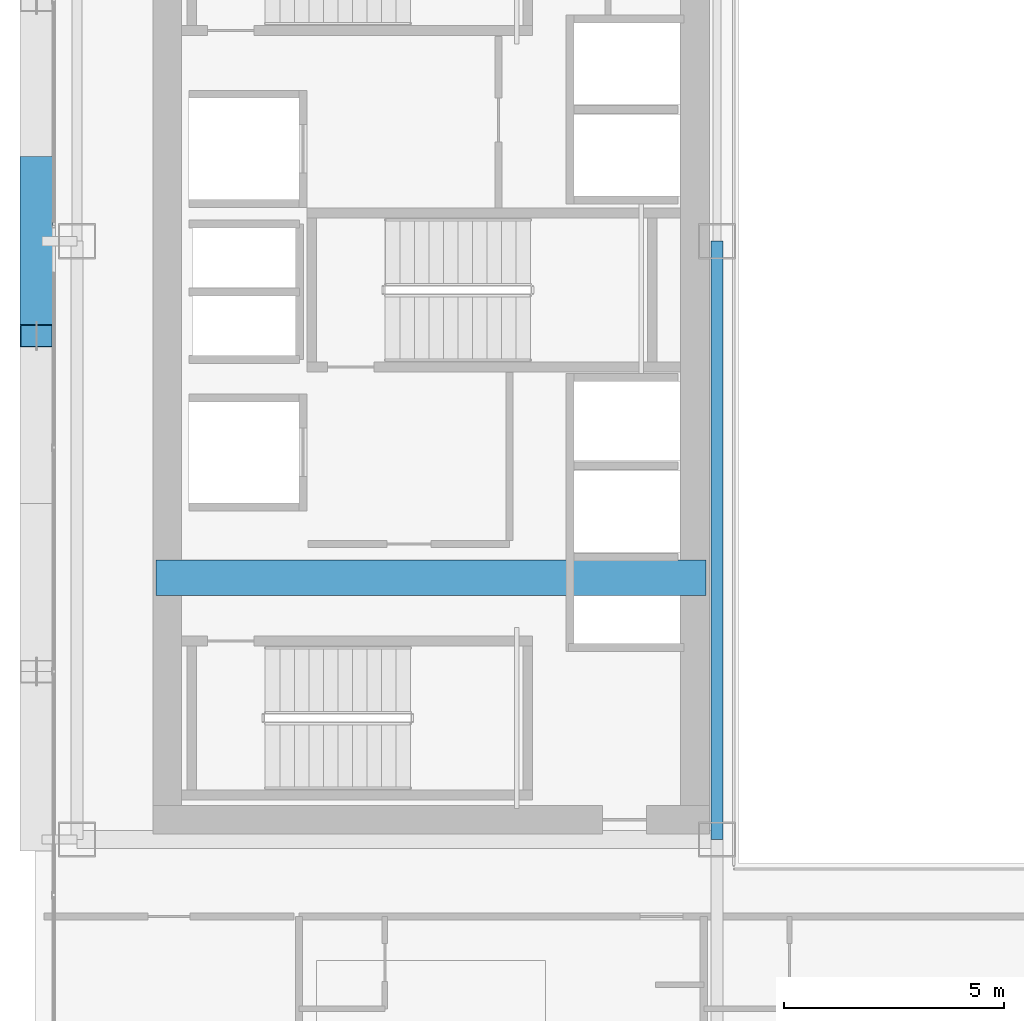
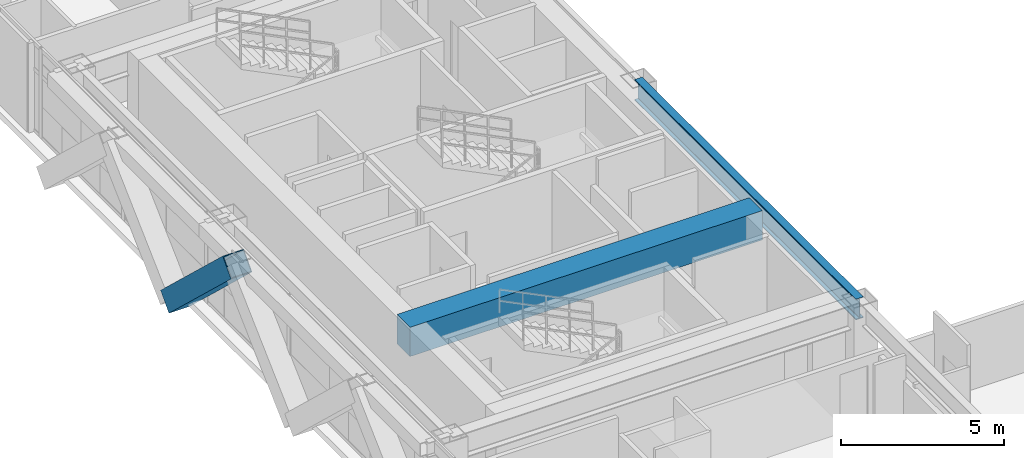
# One storey, part 7 of 34: 2 beams, 1 member.
"""IFC4 building model written with IfcOpenShell, lengths in metres."""

import ifcopenshell
import ifcopenshell.guid

model = None  # the IFC model being written
_history = None  # IfcOwnerHistory: only IFC2X3 demands one
_inside = {}  # id of a spatial element -> (the spatial element, [elements in it])
_under = {}  # id of a project, library or spatial element -> (it, [spatial elements below it])
_declared = {}  # id of a project -> (the project, [libraries it declares])
_typed = {}  # id of a type object -> (the type object, [elements of that type])
_made_of = {}  # id of a material, layer set ... -> (it, [elements and type objects made of it])


def new_model(schema):
    """Start an empty IFC model of exactly this schema.

    Asked for "IFC4X3", IfcOpenShell would pick the latest addendum, in which some entities
    have other attributes; the version numbers below select the first issue.
    IFC2X3 requires an IfcOwnerHistory on every rooted entity: one is made here for all.
    """
    global model, _history
    if schema == "IFC4X3":
        model = ifcopenshell.file(schema_version=(4, 3, 0, 0))
    else:
        model = ifcopenshell.file(schema=schema)
    _inside.clear()
    _under.clear()
    _declared.clear()
    _typed.clear()
    _made_of.clear()
    _history = None
    if model.schema == "IFC2X3":
        org = make("IfcOrganization", Name="unknown")
        user = make(
            "IfcPersonAndOrganization",
            ThePerson=make("IfcPerson", FamilyName="unknown"),
            TheOrganization=org,
        )
        app = make(
            "IfcApplication",
            ApplicationDeveloper=org,
            Version="unknown",
            ApplicationFullName="unknown",
            ApplicationIdentifier="unknown",
        )
        _history = make(
            "IfcOwnerHistory",
            OwningUser=user,
            OwningApplication=app,
            ChangeAction="ADDED",
            CreationDate=0,
        )
    return model


def make(cls, **values):
    """One entity of the class cls with the attributes given. An attribute that is None is left unset."""
    return model.create_entity(
        cls, **{name: value for name, value in values.items() if value is not None}
    )


def rooted(cls, **values):
    """An entity with a GlobalId (a new one), such as an element, a storey or a relation."""
    return make(cls, GlobalId=ifcopenshell.guid.new(), OwnerHistory=_history, **values)


def si_unit(unit_type, name, prefix=None):
    """IfcSIUnit, for example si_unit("LENGTHUNIT", "METRE", prefix="MILLI")."""
    return make("IfcSIUnit", UnitType=unit_type, Prefix=prefix, Name=name)


def assignment(units):
    """IfcUnitAssignment: the units of a project."""
    return None if units is None else make("IfcUnitAssignment", Units=units)


def point(xyz):
    """IfcCartesianPoint."""
    return None if xyz is None else make("IfcCartesianPoint", Coordinates=xyz)


def direction(xyz):
    """IfcDirection."""
    return None if xyz is None else make("IfcDirection", DirectionRatios=xyz)


def frame(location, z_axis=None, x_axis=None):
    """IfcAxis2Placement3D, a coordinate frame: its origin and axes. An axis left out is left unset."""
    return make(
        "IfcAxis2Placement3D",
        Location=point(location),
        Axis=direction(z_axis),
        RefDirection=direction(x_axis),
    )


def frame_2d(location, x_axis=None):
    """IfcAxis2Placement2D, a coordinate frame in the plane: its origin and x axis."""
    return make(
        "IfcAxis2Placement2D", Location=point(location), RefDirection=direction(x_axis)
    )


def origin():
    """The frame at (0, 0, 0) with its axes left unset."""
    return frame((0.0, 0.0, 0.0))


def origin_2d():
    """The frame at (0, 0) in the plane with its x axis left unset."""
    return frame_2d((0.0, 0.0))


def place(relative_to, where):
    """IfcLocalPlacement: puts the frame where relative to a parent placement (None: the world)."""
    return make(
        "IfcLocalPlacement", PlacementRelTo=relative_to, RelativePlacement=where
    )


def context(
    kind, dimensions, precision=None, world=None, true_north=None, identifier=None
):
    """IfcGeometricRepresentationContext, for example the 3D "Model" context."""
    return make(
        "IfcGeometricRepresentationContext",
        ContextIdentifier=identifier,
        ContextType=kind,
        CoordinateSpaceDimension=dimensions,
        Precision=precision,
        WorldCoordinateSystem=world,
        TrueNorth=true_north,
    )


def subcontext(parent, identifier, kind, view, scale=None):
    """IfcGeometricRepresentationSubContext, for example "Body" below "Model"."""
    return make(
        "IfcGeometricRepresentationSubContext",
        ContextIdentifier=identifier,
        ContextType=kind,
        ParentContext=parent,
        TargetScale=scale,
        TargetView=view,
    )


def project(units=None, contexts=None):
    """IfcProject with its units and contexts."""
    return rooted(
        "IfcProject",
        Name="project",
        RepresentationContexts=contexts,
        UnitsInContext=assignment(units),
    )


def spatial(cls, under=None, at=None, **own):
    """A site, building, storey or space (cls), placed at a placement, below another one or the project."""
    s = rooted(cls, ObjectPlacement=at, **own)
    if under is not None:
        _under.setdefault(under.id(), (under, []))[1].append(s)
    return s


def profile(cls, at=None, kind="AREA", **sizes):
    """A parametric profile (cls). Its sizes go by their IFC names, for example OverallWidth=200.0."""
    return make(cls, ProfileType=kind, Position=at, **sizes)


def rectangle(**sizes):
    """IfcRectangleProfileDef."""
    return profile("IfcRectangleProfileDef", **sizes)


def hollow_rectangle(**sizes):
    """IfcRectangleHollowProfileDef."""
    return profile("IfcRectangleHollowProfileDef", **sizes)


def i_section(**sizes):
    """IfcIShapeProfileDef."""
    return profile("IfcIShapeProfileDef", **sizes)


def extrude(swept, where, along, depth):
    """IfcExtrudedAreaSolid: the profile swept, set in the frame where, extruded along a direction by depth."""
    return make(
        "IfcExtrudedAreaSolid",
        SweptArea=swept,
        Position=where,
        ExtrudedDirection=direction(along),
        Depth=depth,
    )


def shape(context_of_items, identifier, shape_type, items):
    """IfcShapeRepresentation: the items that make up one representation, for example the "Body"."""
    return make(
        "IfcShapeRepresentation",
        ContextOfItems=context_of_items,
        RepresentationIdentifier=identifier,
        RepresentationType=shape_type,
        Items=items,
    )


def source(mapping_origin, context_of_items, identifier, shape_type, items):
    """IfcRepresentationMap: a shape defined once, which mapped items show again and again."""
    return make(
        "IfcRepresentationMap",
        MappingOrigin=mapping_origin,
        MappedRepresentation=shape(context_of_items, identifier, shape_type, items),
    )


def transform(
    local_origin,
    x_axis=None,
    y_axis=None,
    z_axis=None,
    scale=None,
    scale2=None,
    scale3=None,
    uniform=True,
):
    """IfcCartesianTransformationOperator3D, or its non-uniform kind. x_axis, y_axis, z_axis: its Axis1, 2, 3."""
    if uniform:
        return make(
            "IfcCartesianTransformationOperator3D",
            Axis1=direction(x_axis),
            Axis2=direction(y_axis),
            LocalOrigin=point(local_origin),
            Scale=scale,
            Axis3=direction(z_axis),
        )
    return make(
        "IfcCartesianTransformationOperator3DnonUniform",
        Axis1=direction(x_axis),
        Axis2=direction(y_axis),
        LocalOrigin=point(local_origin),
        Scale=scale,
        Axis3=direction(z_axis),
        Scale2=scale2,
        Scale3=scale3,
    )


def mapped(mapping_source, mapping_target):
    """IfcMappedItem: shows the shape of a source again, moved by a transform."""
    return make(
        "IfcMappedItem", MappingSource=mapping_source, MappingTarget=mapping_target
    )


def material(Name=None, Category=None):
    """IfcMaterial."""
    return make("IfcMaterial", Name=Name, Category=Category)


def material_profile(
    of_material, cross_section, Name=None, Category=None, Priority=None
):
    """IfcMaterialProfile: a cross section and its material."""
    return make(
        "IfcMaterialProfile",
        Name=Name,
        Material=of_material,
        Profile=cross_section,
        Priority=Priority,
        Category=Category,
    )


def profile_set(profiles, Name=None, composite=None):
    """IfcMaterialProfileSet."""
    return make(
        "IfcMaterialProfileSet",
        Name=Name,
        MaterialProfiles=profiles,
        CompositeProfile=composite,
    )


def made_of(thing, what):
    """Note that an element or type object is made of a material, layer set ...; save() writes the relation."""
    if what is not None:
        _made_of.setdefault(what.id(), (what, []))[1].append(thing)
    return thing


def type_object(cls, material=None, **own):
    """A type object (cls), such as IfcWallType, which elements share."""
    return made_of(rooted(cls, **own), material)


def element(
    cls,
    number,
    at=None,
    inside=None,
    cuts=None,
    type_object=None,
    material=None,
    context=None,
    identifier="Body",
    shape_type=None,
    held_by="IfcProductDefinitionShape",
    body=None,
    shapes=None,
    **own,
):
    """One element of the class cls, such as IfcWall. Its Tag is "e" and its number.

    at: its placement. inside: the storey or other place that contains it. cuts: it is an
    opening in that element (IfcRelVoidsElement). A single representation is given by context,
    identifier, shape_type and body (its items); several are given by shapes. held_by: the class
    of the entity that holds the representations. save() writes the other relations.
    """
    e = rooted(cls, Tag="e%d" % number, ObjectPlacement=at, **own)
    if body is not None:
        shapes = [shape(context, identifier, shape_type, body)]
    if shapes is not None:
        e.Representation = make(held_by, Representations=shapes)
    if inside is not None:
        _inside.setdefault(inside.id(), (inside, []))[1].append(e)
    if cuts is not None:
        rooted(
            "IfcRelVoidsElement", RelatingBuildingElement=cuts, RelatedOpeningElement=e
        )
    if type_object is not None:
        _typed.setdefault(type_object.id(), (type_object, []))[1].append(e)
    return made_of(e, material)


def aggregate(whole, parts):
    """IfcRelAggregates: a whole, such as a stair, and the parts it consists of."""
    return rooted("IfcRelAggregates", RelatingObject=whole, RelatedObjects=parts)


def save(model, path):
    """Write the relations noted so far, then the file.

    IfcRelAggregates (storeys below a building ...), IfcRelContainedInSpatialStructure (elements
    in a storey), IfcRelDefinesByType, IfcRelAssociatesMaterial and IfcRelDeclares: one each for
    every whole, place, type object, material and project.
    """
    for whole, parts in _under.values():
        aggregate(whole, parts)
    for where, things in _inside.values():
        rooted(
            "IfcRelContainedInSpatialStructure",
            RelatedElements=things,
            RelatingStructure=where,
        )
    for kind, things in _typed.values():
        rooted("IfcRelDefinesByType", RelatedObjects=things, RelatingType=kind)
    for what, things in _made_of.values():
        rooted("IfcRelAssociatesMaterial", RelatedObjects=things, RelatingMaterial=what)
    for by, libraries in _declared.values():
        rooted("IfcRelDeclares", RelatingContext=by, RelatedDefinitions=libraries)
    model.write(path)


model = new_model("IFC4")

# Units and contexts
model_context = context("Model", 3, precision=1e-05, world=origin(), true_north=direction((0.0, 1.0)))
body_context = subcontext(model_context, "Body", "Model", "MODEL_VIEW")
ifc_project = project(units=[si_unit("LENGTHUNIT", "METRE"), si_unit("AREAUNIT", "SQUARE_METRE"), si_unit("VOLUMEUNIT", "CUBIC_METRE"), si_unit("PLANEANGLEUNIT", "RADIAN"), si_unit("MASSUNIT", "GRAM", prefix="KILO")], contexts=[model_context])

# Site, building, storey
site_placement = place(None, origin())
site = spatial("IfcSite", under=ifc_project, at=site_placement, CompositionType="ELEMENT")
building_placement = place(site_placement, origin())
building = spatial("IfcBuilding", under=site, at=building_placement, Name="Ocotamira Hotel", CompositionType="ELEMENT")
storey_placement = place(building_placement, frame((0.0, 0.0, 111.60009765625)))
storey = spatial("IfcBuildingStorey", under=building, at=storey_placement, Name="L27", CompositionType="ELEMENT", Elevation=111.60009765625)

# Beams
ifc_material_1 = material(Name="Concrete C60/75", Category="concrete")
ifc_material_profile_1 = material_profile(ifc_material_1, rectangle(XDim=0.800048828125, YDim=1.10009765625, at=origin_2d()), Name="RC800X1100")
ifc_profile_set_1 = profile_set([ifc_material_profile_1], Name="Concrete C60/75")
beam_type_1 = type_object("IfcBeamType", Name="BM-LINK-RC800", PredefinedType="LINTEL", material=ifc_profile_set_1)
shared_shape_1 = source(origin(), body_context, "Body", "SweptSolid", [
    extrude(rectangle(XDim=0.800048828125, YDim=1.10009765625, at=origin_2d()), origin(), (0.0, 0.0, 1.0), 12.5),
])
beam_1_placement = place(storey_placement, frame((10.75, 20.5, 2.809814453125), z_axis=(1.0, 0.0, 0.0), x_axis=(0.0, 1.0, 0.0)))
element("IfcBeam", 1, at=beam_1_placement, inside=storey, type_object=beam_type_1, Name="L27 West Core Coupling Beam", PredefinedType="LINTEL", context=body_context, shape_type="MappedRepresentation", body=[
    mapped(shared_shape_1, transform((0.0, 0.0, 0.0), scale=1.0)),
])
ifc_material_2 = material(Name="Steel ASTM A992 Grade 50", Category="steel")
ifc_material_profile_2 = material_profile(ifc_material_2, i_section(OverallWidth=0.26611328125, OverallDepth=0.779052734375, WebThickness=0.0166015625, FlangeThickness=0.030029296875, FilletRadius=0.01806640625, at=origin_2d()), Name="W30X148")
ifc_profile_set_2 = profile_set([ifc_material_profile_2], Name="Steel ASTM A992 Grade 50")
beam_type_2 = type_object("IfcBeamType", Name="BM-GIRD-W30X148", PredefinedType="BEAM", material=ifc_profile_set_2)
shared_shape_2 = source(origin(), body_context, "Body", "SweptSolid", [
    extrude(i_section(OverallWidth=0.26611328125, OverallDepth=0.779052734375, WebThickness=0.0166015625, FlangeThickness=0.030029296875, FilletRadius=0.01806640625, at=origin_2d()), origin(), (0.0, 0.0, 1.0), 13.599853515625),
])
beam_2_placement = place(storey_placement, frame((23.5, 14.550048828125, 2.970458984375), z_axis=(0.0, 1.0, 0.0), x_axis=(-1.0, 0.0, 0.0)))
element("IfcBeam", 2, at=beam_2_placement, inside=storey, type_object=beam_type_2, Name="L27 Beam X23.5 Y14.55-28.15", PredefinedType="BEAM", context=body_context, shape_type="MappedRepresentation", body=[
    mapped(shared_shape_2, transform((0.0, 0.0, 0.0), scale=1.0)),
])

# Member
ifc_material_3 = material(Name="Pale-metal coated steel ASTM A913 Grade 65", Category="steel")
ifc_material_profile_3 = material_profile(ifc_material_3, hollow_rectangle(XDim=0.75, YDim=0.75, WallThickness=0.028076171875, at=origin_2d()), Name="BOX750X750X28")
ifc_profile_set_3 = profile_set([ifc_material_profile_3], Name="Pale-metal coated steel ASTM A913 Grade 65")
member_type = type_object("IfcMemberType", Name="MEM-EXO-BOX750", PredefinedType="BRACE", material=ifc_profile_set_3)
shared_shape_3 = source(origin(), body_context, "Body", "SweptSolid", [
    extrude(hollow_rectangle(XDim=0.75, YDim=0.75, WallThickness=0.028076171875, at=origin_2d()), origin(), (0.0, 0.0, 1.0), 5.24658203125),
])
member_placement = place(storey_placement, frame((8.030029296875, 29.816650390625, -0.489990234375), z_axis=(0.0, -0.72746596067, 0.686143772154), x_axis=(1.0, 0.0, 0.0)))
element("IfcMember", 3, at=member_placement, inside=storey, type_object=member_type, Name="L27 Exoskeleton Diagrid W1.2", PredefinedType="BRACE", context=body_context, shape_type="MappedRepresentation", body=[
    mapped(shared_shape_3, transform((0.0, 0.0, 0.0), scale=1.0)),
])

save(model, "model.ifc")
